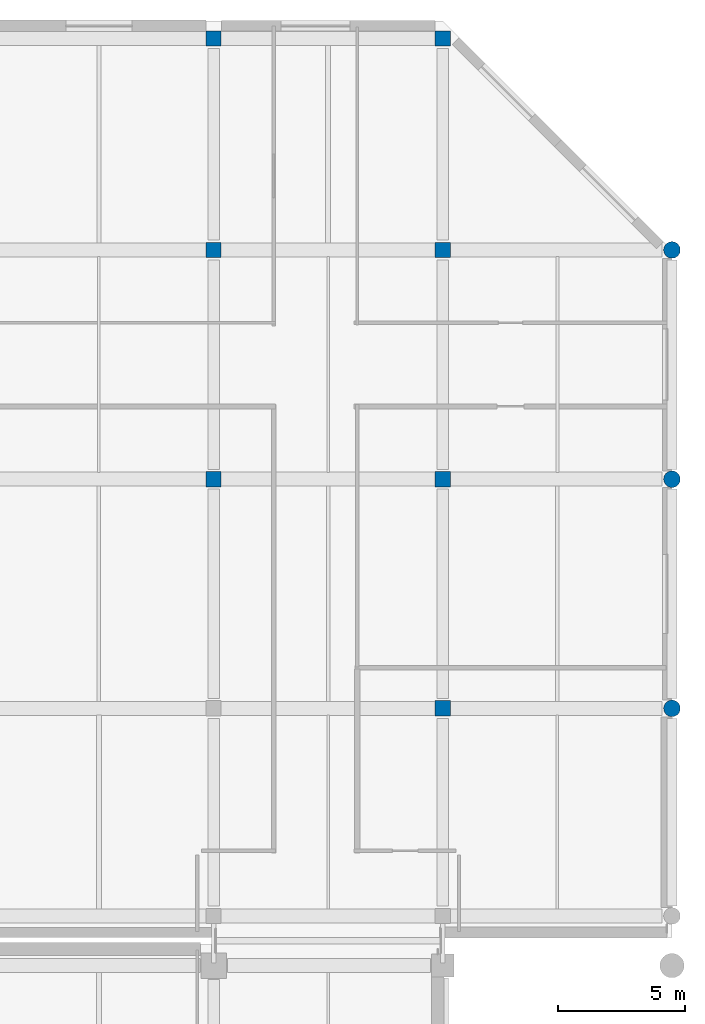
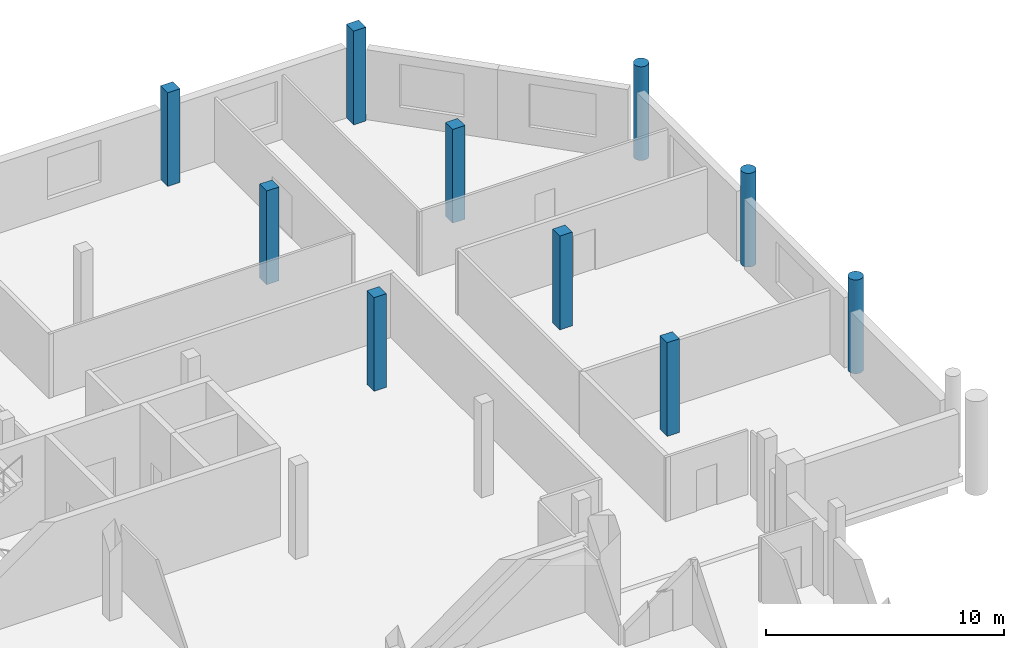
# One storey, part 4 of 100: 10 columns.
"""IFC4 building model written with IfcOpenShell, lengths in metres."""

from ifc_helpers import new_model, si_unit, direction, frame, origin, origin_2d, place, context, subcontext, project, spatial, rectangle, circle, extrude, material, material_profile, profile_set, type_object, element, save


model = new_model("IFC4")

# Units and contexts
model_context = context("Model", 3, precision=1e-05, world=origin(), true_north=direction((0.0, 1.0)))
body_context = subcontext(model_context, "Body", "Model", "MODEL_VIEW")
ifc_project = project(units=[si_unit("LENGTHUNIT", "METRE"), si_unit("AREAUNIT", "SQUARE_METRE"), si_unit("VOLUMEUNIT", "CUBIC_METRE"), si_unit("PLANEANGLEUNIT", "RADIAN"), si_unit("MASSUNIT", "GRAM", prefix="KILO"), si_unit("THERMODYNAMICTEMPERATUREUNIT", "KELVIN"), si_unit("POWERUNIT", "WATT")], contexts=[model_context])

# Site, building, storey
site_placement = place(None, origin())
site = spatial("IfcSite", under=ifc_project, at=site_placement, CompositionType="ELEMENT")
building_placement = place(site_placement, origin())
building = spatial("IfcBuilding", under=site, at=building_placement, Name="Sindhuravela Promenade Stadium", CompositionType="ELEMENT")
storey_placement = place(building_placement, frame((0.0, 0.0, 4.800048828125)))
storey = spatial("IfcBuildingStorey", under=building, at=storey_placement, Name="L01", CompositionType="ELEMENT", Elevation=4.800048828125)

# Columns
ifc_material = material(Name="Concrete M40", Category="concrete")
ifc_material_profile_1 = material_profile(ifc_material, rectangle(XDim=0.60009765625, YDim=0.60009765625, at=origin_2d()), Name="RC 600x600")
ifc_profile_set_1 = profile_set([ifc_material_profile_1], Name="Concrete M40")
column_type_1 = type_object("IfcColumnType", Name="RC-CL-600x600", PredefinedType="COLUMN", material=ifc_profile_set_1)
for number, where, z_axis, x_axis, name in (
    (1, (198.0, 144.0, 0.0), (0.0, 0.0, 1.0), (1.0, 0.0, 0.0), "Column C17 Pavilion NE L01"),
    (2, (198.0, 153.0, 0.0), (0.0, 0.0, 1.0), (1.0, 0.0, 0.0), "Column C17 Pavilion NE L01"),
    (3, (198.0, 161.300048828125, 0.0), (0.0, 0.0, 1.0), (1.0, 0.0, 0.0), "Column C17 Pavilion NE L01"),
    (4, (207.0, 135.0, 0.0), (0.0, 0.0, 1.0), (1.0, 0.0, 0.0), "Column C17 Pavilion NE L01"),
    (5, (207.0, 144.0, 0.0), (0.0, 0.0, 1.0), (1.0, 0.0, 0.0), "Column C17 Pavilion NE L01"),
    (6, (207.0, 153.0, 0.0), (0.0, 0.0, 1.0), (1.0, 0.0, 0.0), "Column C17 Pavilion NE L01"),
    (7, (207.0, 161.300048828125, 0.0), (0.0, 0.0, 1.0), (1.0, 0.0, 0.0), "Column C17 Pavilion NE L01"),
):
    element("IfcColumn", number, at=place(storey_placement, frame(where, z_axis=z_axis, x_axis=x_axis)), inside=storey, type_object=column_type_1, Name=name, PredefinedType="COLUMN", context=body_context, shape_type="SweptSolid", body=[
        extrude(rectangle(XDim=0.60009765625, YDim=0.60009765625, at=origin_2d()), origin(), (0.0, 0.0, 1.0), 4.800048828125),
    ])
ifc_material_profile_2 = material_profile(ifc_material, circle(Radius=0.324951171875, at=origin_2d()), Name="RC D650")
ifc_profile_set_2 = profile_set([ifc_material_profile_2], Name="Concrete M40")
column_type_2 = type_object("IfcColumnType", Name="RC-CL-D650", PredefinedType="COLUMN", material=ifc_profile_set_2)
for number, where, z_axis, x_axis, name in (
    (8, (216.0, 135.0, 0.0), (0.0, 0.0, 1.0), (1.0, 0.0, 0.0), "Column CD4 Pavilion NE L01"),
    (9, (216.0, 144.0, 0.0), (0.0, 0.0, 1.0), (1.0, 0.0, 0.0), "Column CD4 Pavilion NE L01"),
    (10, (216.0, 153.0, 0.0), (0.0, 0.0, 1.0), (1.0, 0.0, 0.0), "Column CD4 Pavilion NE L01"),
):
    element("IfcColumn", number, at=place(storey_placement, frame(where, z_axis=z_axis, x_axis=x_axis)), inside=storey, type_object=column_type_2, Name=name, PredefinedType="COLUMN", context=body_context, shape_type="SweptSolid", body=[
        extrude(circle(Radius=0.324951171875, at=origin_2d()), origin(), (0.0, 0.0, 1.0), 4.800048828125),
    ])

save(model, "model.ifc")
